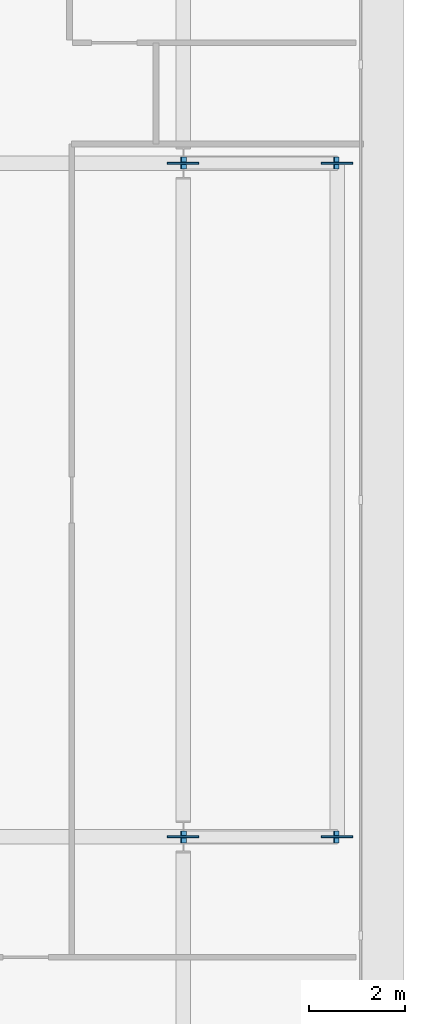
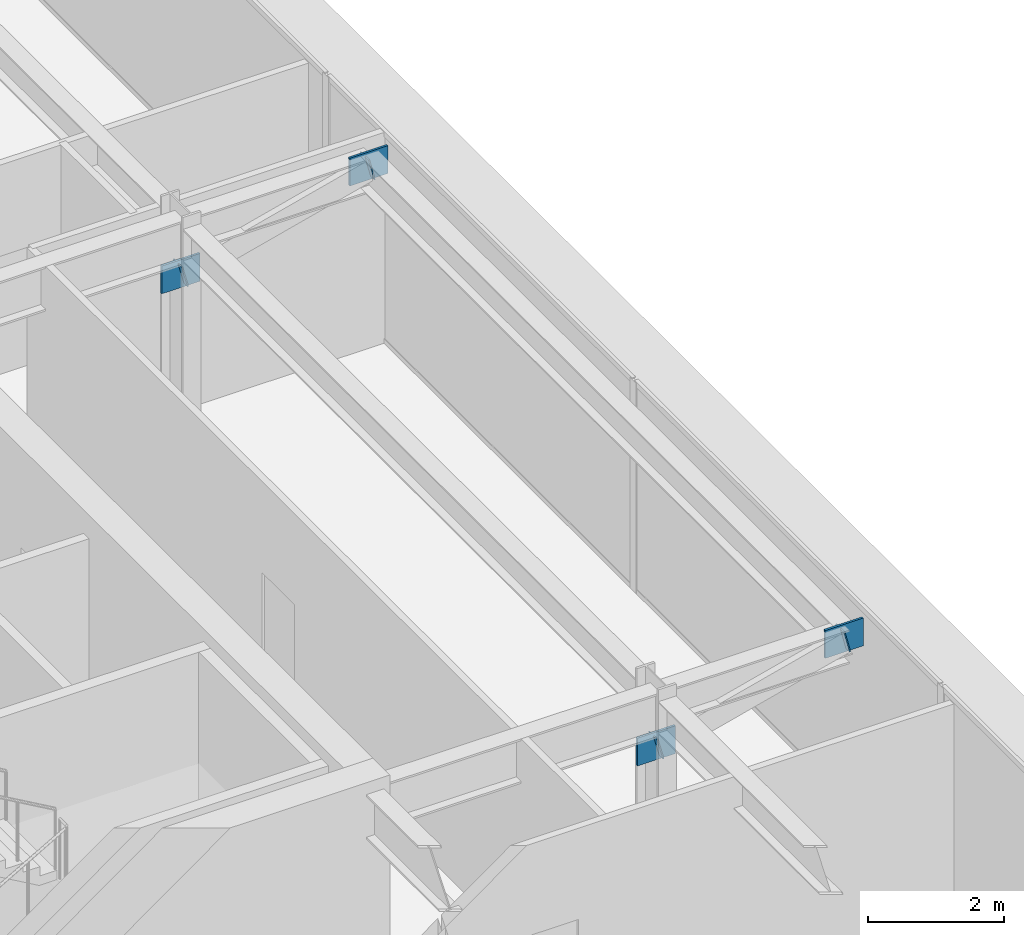
# One storey, part 12 of 20: 8 plates.
"""IFC4 building model written with IfcOpenShell, lengths in metres."""

from ifc_helpers import new_model, si_unit, direction, frame, origin, origin_2d, place, context, subcontext, project, spatial, rectangle, extrude, material, layer, layer_set, type_object, element, save


model = new_model("IFC4")

# Units and contexts
model_context = context("Model", 3, precision=1e-05, world=origin(), true_north=direction((0.0, 1.0)))
body_context = subcontext(model_context, "Body", "Model", "MODEL_VIEW")
ifc_project = project(units=[si_unit("LENGTHUNIT", "METRE"), si_unit("AREAUNIT", "SQUARE_METRE"), si_unit("VOLUMEUNIT", "CUBIC_METRE"), si_unit("PLANEANGLEUNIT", "RADIAN"), si_unit("MASSUNIT", "GRAM", prefix="KILO")], contexts=[model_context])

# Site, building, storey
site_placement = place(None, origin())
site = spatial("IfcSite", under=ifc_project, at=site_placement, CompositionType="ELEMENT")
building_placement = place(site_placement, origin())
building = spatial("IfcBuilding", under=site, at=building_placement, Name="Putna Gate Headquarters", CompositionType="ELEMENT")
storey_placement = place(building_placement, frame((0.0, 0.0, 294.39990234375)))
storey = spatial("IfcBuildingStorey", under=building, at=storey_placement, Name="L74", CompositionType="ELEMENT", Elevation=294.39990234375)

# Plates
ifc_material_1 = material(Name="Steel S355J2", Category="steel")
ifc_layer_1 = layer(ifc_material_1, 0.02001953125)
ifc_layer_set_1 = layer_set([ifc_layer_1], Name="Steel S355J2")
plate_type_1 = type_object("IfcPlateType", Name="PLT-CAP-EC-R400", PredefinedType="SHEET", material=ifc_layer_set_1)
for number, where, z_axis, x_axis, name in (
    (1, (69.9150390625, 19.0, 2.75), (0.966437683387, 0.0, 0.256901156343), (0.0, 1.0, 0.0), "L74 East Sail Cantilever Raker Y19 End Cap Start"),
    (2, (73.090576171875, 19.0, 3.563232421875), (0.970142500145, 0.0, 0.242535625036), (0.0, 1.0, 0.0), "L74 East Sail Cantilever Raker Y19 End Cap End"),
    (3, (69.9150390625, 33.0, 2.75), (0.966437683387, 0.0, 0.256901156343), (0.0, 1.0, 0.0), "L74 East Sail Cantilever Raker Y33 End Cap Start"),
    (4, (73.090576171875, 33.0, 3.563232421875), (0.970142500145, 0.0, 0.242535625036), (0.0, 1.0, 0.0), "L74 East Sail Cantilever Raker Y33 End Cap End"),
):
    element("IfcPlate", number, at=place(storey_placement, frame(where, z_axis=z_axis, x_axis=x_axis)), inside=storey, type_object=plate_type_1, Name=name, PredefinedType="SHEET", context=body_context, shape_type="SweptSolid", body=[
        extrude(rectangle(XDim=0.25, YDim=0.39990234375, at=origin_2d()), origin(), (0.0, 0.0, 1.0), 0.02001953125),
    ])
ifc_material_2 = material(Name="Steel S460M", Category="steel")
ifc_layer_2 = layer(ifc_material_2, 0.0380859375)
ifc_layer_set_2 = layer_set([ifc_layer_2], Name="Steel S460M")
plate_type_2 = type_object("IfcPlateType", Name="PLT-NODE-TN1", PredefinedType="SHEET", material=ifc_layer_set_2)
for number, where, z_axis, x_axis, name in (
    (5, (69.9150390625, 19.0, 2.5), (0.0, 0.0, 1.0), (1.0, 0.0, 0.0), "L74 Sail Raker Node Plate TN1 Y19-1"),
    (6, (73.110107421875, 19.0, 3.318115234375), (0.0, 0.0, 1.0), (1.0, 0.0, 0.0), "L74 Sail Raker Node Plate TN1 Y19-2"),
    (7, (69.9150390625, 33.0, 2.5), (0.0, 0.0, 1.0), (1.0, 0.0, 0.0), "L74 Sail Raker Node Plate TN1 Y33-1"),
    (8, (73.110107421875, 33.0, 3.318115234375), (0.0, 0.0, 1.0), (1.0, 0.0, 0.0), "L74 Sail Raker Node Plate TN1 Y33-2"),
):
    element("IfcPlate", number, at=place(storey_placement, frame(where, z_axis=z_axis, x_axis=x_axis)), inside=storey, type_object=plate_type_2, Name=name, PredefinedType="SHEET", context=body_context, shape_type="SweptSolid", body=[
        extrude(rectangle(XDim=0.64990234375, YDim=0.0380859375, at=origin_2d()), origin(), (0.0, 0.0, 1.0), 0.5),
    ])

save(model, "model.ifc")
